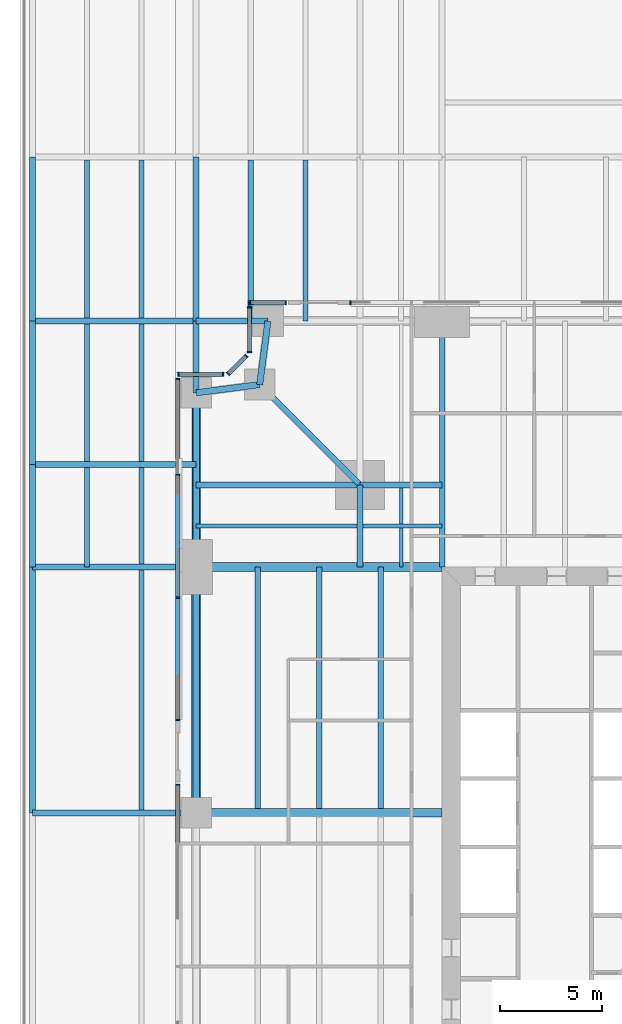
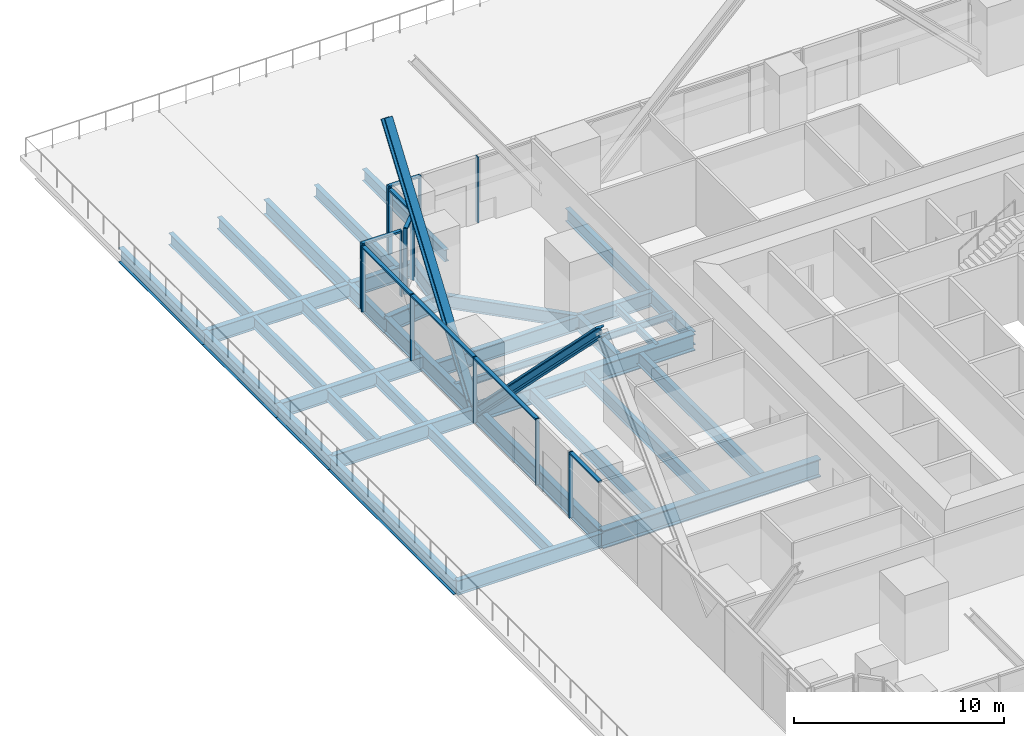
# One storey, part 6 of 21: 38 beams, 24 members, 7 elements without a shape of their own.
"""IFC4 building model written with IfcOpenShell, lengths in metres."""

from ifc_helpers import new_model, si_unit, direction, frame, origin, origin_2d, place, context, subcontext, project, spatial, rectangle, i_section, extrude, material, material_profile, profile_set, type_object, element, aggregate, save


model = new_model("IFC4")

# Units and contexts
model_context = context("Model", 3, precision=1e-05, world=origin(), true_north=direction((0.0, 1.0)))
body_context = subcontext(model_context, "Body", "Model", "MODEL_VIEW")
ifc_project = project(units=[si_unit("LENGTHUNIT", "METRE"), si_unit("AREAUNIT", "SQUARE_METRE"), si_unit("VOLUMEUNIT", "CUBIC_METRE"), si_unit("PLANEANGLEUNIT", "RADIAN"), si_unit("MASSUNIT", "GRAM", prefix="KILO")], contexts=[model_context])

# Site, building, storey
site_placement = place(None, origin())
site = spatial("IfcSite", under=ifc_project, at=site_placement, CompositionType="ELEMENT")
building_placement = place(site_placement, origin())
building = spatial("IfcBuilding", under=site, at=building_placement, Name="Fenwick Lantern Interchange", CompositionType="ELEMENT")
storey_placement = place(building_placement, frame((0.0, 0.0, 31.0)))
storey = spatial("IfcBuildingStorey", under=building, at=storey_placement, Name="L06", CompositionType="ELEMENT", Elevation=31.0)

# Beams
ifc_material_1 = material(Name="Steel ASTM A992 Grade 50", Category="steel")
ifc_material_profile_1 = material_profile(ifc_material_1, i_section(OverallWidth=0.309814453125, OverallDepth=0.949951171875, WebThickness=0.0244140625, FlangeThickness=0.0439453125, at=origin_2d()), Name="W36X256")
ifc_profile_set_1 = profile_set([ifc_material_profile_1], Name="Steel ASTM A992 Grade 50")
beam_type_1 = type_object("IfcBeamType", Name="EDGE BEAM W36X256", PredefinedType="SPANDREL", material=ifc_profile_set_1)
for number, where, z_axis, x_axis, name in (
    (1, (4.5, 49.0, -0.625), (-0.127936641807, -0.991782342897, 0.0), (0.991782342897, -0.127936641807, 0.0), "L06/FR/N/EBR1"),
    (2, (4.10009765625, 45.89990234375, -0.625), (-0.991782342897, -0.127936641807, 0.0), (0.127936641807, -0.991782342897, 0.0), "L06/FR/N/EBR2"),
):
    element("IfcBeam", number, at=place(storey_placement, frame(where, z_axis=z_axis, x_axis=x_axis)), inside=storey, type_object=beam_type_1, Name=name, PredefinedType="SPANDREL", context=body_context, shape_type="SweptSolid", body=[
        extrude(i_section(OverallWidth=0.309814453125, OverallDepth=0.949951171875, WebThickness=0.0244140625, FlangeThickness=0.0439453125, at=origin_2d()), origin(), (0.0, 0.0, 1.0), 3.125732421875),
    ])
beam_1_placement = place(storey_placement, frame((1.0, 45.5, -0.625), z_axis=(0.0, -1.0, 0.0), x_axis=(1.0, 0.0, 0.0)))
element("IfcBeam", 3, at=beam_1_placement, inside=storey, type_object=beam_type_1, Name="L06/FR/W/EB1", PredefinedType="SPANDREL", context=body_context, shape_type="SweptSolid", body=[
    extrude(i_section(OverallWidth=0.309814453125, OverallDepth=0.949951171875, WebThickness=0.0244140625, FlangeThickness=0.0439453125, at=origin_2d()), origin(), (0.0, 0.0, 1.0), 8.5),
])
beam_2_placement = place(storey_placement, frame((1.0, 37.0, -0.625), z_axis=(0.0, -1.0, 0.0), x_axis=(1.0, 0.0, 0.0)))
element("IfcBeam", 4, at=beam_2_placement, inside=storey, type_object=beam_type_1, Name="L06/FR/W/EB2", PredefinedType="SPANDREL", context=body_context, shape_type="SweptSolid", body=[
    extrude(i_section(OverallWidth=0.309814453125, OverallDepth=0.949951171875, WebThickness=0.0244140625, FlangeThickness=0.0439453125, at=origin_2d()), origin(), (0.0, 0.0, 1.0), 12.0),
])

# Members
ifc_material_profile_2 = material_profile(ifc_material_1, i_section(OverallWidth=0.424072265625, OverallDepth=0.47509765625, WebThickness=0.0478515625, FlangeThickness=0.0771484375, at=origin_2d()), Name="W14X426")
ifc_profile_set_2 = profile_set([ifc_material_profile_2], Name="Steel ASTM A992 Grade 50")
member_type_1 = type_object("IfcMemberType", Name="FACADE BRACE W14X426", PredefinedType="BRACE", material=ifc_profile_set_2)
member_1_placement = place(storey_placement, frame((1.0, 37.0, -0.625), z_axis=(0.0, 0.577407021852, 0.816456447776), x_axis=(-1.0, 0.0, 0.0)))
element("IfcMember", 5, at=member_1_placement, inside=storey, type_object=member_type_1, Name="L06/FB/W/AE", PredefinedType="BRACE", context=body_context, shape_type="SweptSolid", body=[
    extrude(i_section(OverallWidth=0.424072265625, OverallDepth=0.47509765625, WebThickness=0.0478515625, FlangeThickness=0.0771484375, at=origin_2d()), origin(), (0.0, 0.0, 1.0), 14.720947265625),
])
ifc_material_profile_3 = material_profile(ifc_material_1, i_section(OverallWidth=0.44189453125, OverallDepth=0.53076171875, WebThickness=0.06591796875, FlangeThickness=0.105712890625, at=origin_2d()), Name="W14X605")
ifc_profile_set_3 = profile_set([ifc_material_profile_3], Name="Steel ASTM A992 Grade 50")
member_type_2 = type_object("IfcMemberType", Name="FACADE BRACE W14X605", PredefinedType="BRACE", material=ifc_profile_set_3)
member_2_placement = place(storey_placement, frame((1.0, 37.0, -0.625), z_axis=(0.0, -0.706545945103, 0.707667172799), x_axis=(1.0, 0.0, 0.0)))
element("IfcMember", 6, at=member_2_placement, inside=storey, type_object=member_type_2, Name="L06/FB/W/A", PredefinedType="BRACE", context=body_context, shape_type="SweptSolid", body=[
    extrude(i_section(OverallWidth=0.44189453125, OverallDepth=0.53076171875, WebThickness=0.06591796875, FlangeThickness=0.105712890625, at=origin_2d()), origin(), (0.0, 0.0, 1.0), 16.984130859375),
])

# Beams
ifc_material_profile_4 = material_profile(ifc_material_1, i_section(OverallWidth=0.2666015625, OverallDepth=0.7568359375, WebThickness=0.013916015625, FlangeThickness=0.019287109375, at=origin_2d()), Name="W30X108")
ifc_profile_set_4 = profile_set([ifc_material_profile_4], Name="Steel ASTM A992 Grade 50")
beam_type_2 = type_object("IfcBeamType", Name="FLOOR BEAM W30X108", PredefinedType="BEAM", material=ifc_profile_set_4)
for number, where, z_axis, x_axis, name in (
    (7, (4.0, 37.0, -0.528564453125), (0.0, -1.0, 0.0), (1.0, 0.0, 0.0), "L06/FR/W/B01"),
    (8, (7.0, 37.0, -0.528564453125), (0.0, -1.0, 0.0), (1.0, 0.0, 0.0), "L06/FR/W/B02"),
    (9, (10.0, 37.0, -0.528564453125), (0.0, -1.0, 0.0), (1.0, 0.0, 0.0), "L06/FR/W/B03"),
):
    element("IfcBeam", number, at=place(storey_placement, frame(where, z_axis=z_axis, x_axis=x_axis)), inside=storey, type_object=beam_type_2, Name=name, PredefinedType="BEAM", context=body_context, shape_type="SweptSolid", body=[
        extrude(i_section(OverallWidth=0.2666015625, OverallDepth=0.7568359375, WebThickness=0.013916015625, FlangeThickness=0.019287109375, at=origin_2d()), origin(), (0.0, 0.0, 1.0), 11.79541015625),
    ])
ifc_material_profile_5 = material_profile(ifc_material_1, i_section(OverallWidth=0.177734375, OverallDepth=0.406494140625, WebThickness=0.0078125, FlangeThickness=0.012939453125, at=origin_2d()), Name="W16X40")
ifc_profile_set_5 = profile_set([ifc_material_profile_5], Name="Steel ASTM A992 Grade 50")
beam_type_3 = type_object("IfcBeamType", Name="INFILL BEAM W16X40", PredefinedType="JOIST", material=ifc_profile_set_5)
beam_3_placement = place(storey_placement, frame((1.0, 39.0, -0.353271484375), z_axis=(1.0, 0.0, 0.0), x_axis=(0.0, 1.0, 0.0)))
element("IfcBeam", 10, at=beam_3_placement, inside=storey, type_object=beam_type_3, Name="L06/FR/W/J1", PredefinedType="JOIST", context=body_context, shape_type="SweptSolid", body=[
    extrude(i_section(OverallWidth=0.177734375, OverallDepth=0.406494140625, WebThickness=0.0078125, FlangeThickness=0.012939453125, at=origin_2d()), origin(), (0.0, 0.0, 1.0), 7.85400390625),
])
beam_4_placement = place(storey_placement, frame((9.14599609375, 39.0, -0.353271484375), z_axis=(1.0, 0.0, 0.0), x_axis=(0.0, 1.0, 0.0)))
element("IfcBeam", 11, at=beam_4_placement, inside=storey, type_object=beam_type_3, Name="L06/FR/W/J2", PredefinedType="JOIST", context=body_context, shape_type="SweptSolid", body=[
    extrude(i_section(OverallWidth=0.177734375, OverallDepth=0.406494140625, WebThickness=0.0078125, FlangeThickness=0.012939453125, at=origin_2d()), origin(), (0.0, 0.0, 1.0), 3.85400390625),
])
beam_5_placement = place(storey_placement, frame((11.0, 40.85400390625, -0.353271484375), z_axis=(0.0, -1.0, 0.0), x_axis=(1.0, 0.0, 0.0)))
element("IfcBeam", 12, at=beam_5_placement, inside=storey, type_object=beam_type_3, Name="L06/FR/W/J4", PredefinedType="JOIST", context=body_context, shape_type="SweptSolid", body=[
    extrude(i_section(OverallWidth=0.177734375, OverallDepth=0.406494140625, WebThickness=0.0078125, FlangeThickness=0.012939453125, at=origin_2d()), origin(), (0.0, 0.0, 1.0), 1.76513671875),
])
beam_6_placement = place(storey_placement, frame((11.0, 38.9111328125, -0.353271484375), z_axis=(0.0, -1.0, 0.0), x_axis=(1.0, 0.0, 0.0)))
element("IfcBeam", 13, at=beam_6_placement, inside=storey, type_object=beam_type_3, Name="L06/FR/W/J5", PredefinedType="JOIST", context=body_context, shape_type="SweptSolid", body=[
    extrude(i_section(OverallWidth=0.177734375, OverallDepth=0.406494140625, WebThickness=0.0078125, FlangeThickness=0.012939453125, at=origin_2d()), origin(), (0.0, 0.0, 1.0), 1.9111328125),
])
ifc_material_profile_6 = material_profile(ifc_material_1, i_section(OverallWidth=0.2919921875, OverallDepth=0.845703125, WebThickness=0.015380859375, FlangeThickness=0.0244140625, at=origin_2d()), Name="W33X141")
ifc_profile_set_6 = profile_set([ifc_material_profile_6], Name="Steel ASTM A992 Grade 50")
beam_type_4 = type_object("IfcBeamType", Name="MEGA COLUMN BEAM W33X141", PredefinedType="BEAM", material=ifc_profile_set_6)
beam_7_placement = place(storey_placement, frame((9.0, 41.0, -0.572998046875), z_axis=(-1.0, 0.0, 0.0), x_axis=(0.0, -1.0, 0.0)))
element("IfcBeam", 14, at=beam_7_placement, inside=storey, type_object=beam_type_4, Name="L06/FR/W/MB1", PredefinedType="BEAM", context=body_context, shape_type="SweptSolid", body=[
    extrude(i_section(OverallWidth=0.2919921875, OverallDepth=0.845703125, WebThickness=0.015380859375, FlangeThickness=0.0244140625, at=origin_2d()), origin(), (0.0, 0.0, 1.0), 8.0),
])
for number, where, z_axis, x_axis, name in (
    (15, (9.0, 41.0, -0.572998046875), (0.0, -1.0, 0.0), (1.0, 0.0, 0.0), "L06/FR/W/MB3"),
    (16, (9.0, 41.0, -0.572998046875), (1.0, 0.0, 0.0), (0.0, 1.0, 0.0), "L06/FR/W/MB4"),
):
    element("IfcBeam", number, at=place(storey_placement, frame(where, z_axis=z_axis, x_axis=x_axis)), inside=storey, type_object=beam_type_4, Name=name, PredefinedType="BEAM", context=body_context, shape_type="SweptSolid", body=[
        extrude(i_section(OverallWidth=0.2919921875, OverallDepth=0.845703125, WebThickness=0.015380859375, FlangeThickness=0.0244140625, at=origin_2d()), origin(), (0.0, 0.0, 1.0), 4.0),
    ])
ifc_material_profile_7 = material_profile(ifc_material_1, i_section(OverallWidth=0.2666015625, OverallDepth=0.76953125, WebThickness=0.015625, FlangeThickness=0.025390625, at=origin_2d()), Name="W30X132")
ifc_profile_set_7 = profile_set([ifc_material_profile_7], Name="Steel ASTM A992 Grade 50")
beam_type_5 = type_object("IfcBeamType", Name="MOMENT-CONNECTED GIRDER W30X132", PredefinedType="BEAM", material=ifc_profile_set_7)
beam_8_placement = place(storey_placement, frame((13.0, 49.0, -0.534912109375), z_axis=(0.0, -1.0, 0.0), x_axis=(1.0, 0.0, 0.0)))
element("IfcBeam", 17, at=beam_8_placement, inside=storey, type_object=beam_type_5, Name="L06/FR/N/R09", PredefinedType="BEAM", context=body_context, shape_type="SweptSolid", body=[
    extrude(i_section(OverallWidth=0.2666015625, OverallDepth=0.76953125, WebThickness=0.015625, FlangeThickness=0.025390625, at=origin_2d()), origin(), (0.0, 0.0, 1.0), 12.0),
])
ifc_material_profile_8 = material_profile(ifc_material_1, i_section(OverallWidth=0.424072265625, OverallDepth=0.947509765625, WebThickness=0.02392578125, FlangeThickness=0.042724609375, at=origin_2d()), Name="W36X302")
ifc_profile_set_8 = profile_set([ifc_material_profile_8], Name="Steel ASTM A992 Grade 50")
beam_type_6 = type_object("IfcBeamType", Name="MOMENT-CONNECTED GIRDER W36X302", PredefinedType="BEAM", material=ifc_profile_set_8)
beam_9_placement = place(storey_placement, frame((1.0, 37.0, -0.623779296875), z_axis=(1.0, 0.0, 0.0), x_axis=(0.0, 1.0, 0.0)))
element("IfcBeam", 18, at=beam_9_placement, inside=storey, type_object=beam_type_6, Name="L06/FR/W/R01", PredefinedType="BEAM", context=body_context, shape_type="SweptSolid", body=[
    extrude(i_section(OverallWidth=0.424072265625, OverallDepth=0.947509765625, WebThickness=0.02392578125, FlangeThickness=0.042724609375, at=origin_2d()), origin(), (0.0, 0.0, 1.0), 12.0),
])
ifc_material_profile_9 = material_profile(ifc_material_1, i_section(OverallWidth=0.408935546875, OverallDepth=1.04150390625, WebThickness=0.031005859375, FlangeThickness=0.055908203125, at=origin_2d()), Name="W40X397")
ifc_profile_set_9 = profile_set([ifc_material_profile_9], Name="Steel ASTM A992 Grade 50")
beam_type_7 = type_object("IfcBeamType", Name="MOMENT-CONNECTED GIRDER W40X397", PredefinedType="BEAM", material=ifc_profile_set_9)
beam_10_placement = place(storey_placement, frame((1.0, 25.0, -0.670654296875), z_axis=(1.0, 0.0, 0.0), x_axis=(0.0, 1.0, 0.0)))
element("IfcBeam", 19, at=beam_10_placement, inside=storey, type_object=beam_type_7, Name="L06/FR/W/R02", PredefinedType="BEAM", context=body_context, shape_type="SweptSolid", body=[
    extrude(i_section(OverallWidth=0.408935546875, OverallDepth=1.04150390625, WebThickness=0.031005859375, FlangeThickness=0.055908203125, at=origin_2d()), origin(), (0.0, 0.0, 1.0), 12.0),
])
ifc_material_profile_10 = material_profile(ifc_material_1, i_section(OverallWidth=0.2919921875, OverallDepth=0.845703125, WebThickness=0.015380859375, FlangeThickness=0.0244140625, at=origin_2d()), Name="W33X141")
ifc_profile_set_10 = profile_set([ifc_material_profile_10], Name="Steel ASTM A992 Grade 50")
beam_type_8 = type_object("IfcBeamType", Name="MOMENT-CONNECTED PODIUM GIRDER W33X141", PredefinedType="BEAM", material=ifc_profile_set_10)
for number, where, z_axis, x_axis, name in (
    (20, (-7.0, 25.0, -0.722900390625), (1.0, 0.0, 0.0), (0.0, 1.0, 0.0), "L06/PF/G017"),
    (21, (-7.0, 37.0, -0.722900390625), (1.0, 0.0, 0.0), (0.0, 1.0, 0.0), "L06/PF/G019"),
    (22, (-7.0, 42.0, -0.722900390625), (1.0, 0.0, 0.0), (0.0, 1.0, 0.0), "L06/PF/G021"),
    (23, (-7.0, 49.0, -0.722900390625), (1.0, 0.0, 0.0), (0.0, 1.0, 0.0), "L06/PF/G023"),
):
    element("IfcBeam", number, at=place(storey_placement, frame(where, z_axis=z_axis, x_axis=x_axis)), inside=storey, type_object=beam_type_8, Name=name, PredefinedType="BEAM", context=body_context, shape_type="SweptSolid", body=[
        extrude(i_section(OverallWidth=0.2919921875, OverallDepth=0.845703125, WebThickness=0.015380859375, FlangeThickness=0.0244140625, at=origin_2d()), origin(), (0.0, 0.0, 1.0), 8.0),
    ])
beam_11_placement = place(storey_placement, frame((1.0, 49.0, -0.722900390625), z_axis=(1.0, 0.0, 0.0), x_axis=(0.0, 1.0, 0.0)))
element("IfcBeam", 24, at=beam_11_placement, inside=storey, type_object=beam_type_8, Name="L06/PF/G024", PredefinedType="BEAM", context=body_context, shape_type="SweptSolid", body=[
    extrude(i_section(OverallWidth=0.2919921875, OverallDepth=0.845703125, WebThickness=0.015380859375, FlangeThickness=0.0244140625, at=origin_2d()), origin(), (0.0, 0.0, 1.0), 3.5),
])
beam_12_placement = place(storey_placement, frame((-7.0, 25.0, -0.722900390625), z_axis=(0.0, 1.0, 0.0), x_axis=(-1.0, 0.0, 0.0)))
element("IfcBeam", 25, at=beam_12_placement, inside=storey, type_object=beam_type_8, Name="L06/PF/G047", PredefinedType="BEAM", context=body_context, shape_type="SweptSolid", body=[
    extrude(i_section(OverallWidth=0.2919921875, OverallDepth=0.845703125, WebThickness=0.015380859375, FlangeThickness=0.0244140625, at=origin_2d()), origin(), (0.0, 0.0, 1.0), 12.0),
])
beam_13_placement = place(storey_placement, frame((-7.0, 37.0, -0.722900390625), z_axis=(0.0, 1.0, 0.0), x_axis=(-1.0, 0.0, 0.0)))
element("IfcBeam", 26, at=beam_13_placement, inside=storey, type_object=beam_type_8, Name="L06/PF/G048", PredefinedType="BEAM", context=body_context, shape_type="SweptSolid", body=[
    extrude(i_section(OverallWidth=0.2919921875, OverallDepth=0.845703125, WebThickness=0.015380859375, FlangeThickness=0.0244140625, at=origin_2d()), origin(), (0.0, 0.0, 1.0), 5.0),
])
beam_14_placement = place(storey_placement, frame((-7.0, 42.0, -0.722900390625), z_axis=(0.0, 1.0, 0.0), x_axis=(-1.0, 0.0, 0.0)))
element("IfcBeam", 27, at=beam_14_placement, inside=storey, type_object=beam_type_8, Name="L06/PF/G049", PredefinedType="BEAM", context=body_context, shape_type="SweptSolid", body=[
    extrude(i_section(OverallWidth=0.2919921875, OverallDepth=0.845703125, WebThickness=0.015380859375, FlangeThickness=0.0244140625, at=origin_2d()), origin(), (0.0, 0.0, 1.0), 7.0),
])
beam_15_placement = place(storey_placement, frame((-7.0, 49.0, -0.722900390625), z_axis=(0.0, 1.0, 0.0), x_axis=(-1.0, 0.0, 0.0)))
element("IfcBeam", 28, at=beam_15_placement, inside=storey, type_object=beam_type_8, Name="L06/PF/G050", PredefinedType="BEAM", context=body_context, shape_type="SweptSolid", body=[
    extrude(i_section(OverallWidth=0.2919921875, OverallDepth=0.845703125, WebThickness=0.015380859375, FlangeThickness=0.0244140625, at=origin_2d()), origin(), (0.0, 0.0, 1.0), 8.0),
])
beam_16_placement = place(storey_placement, frame((1.0, 45.5, -0.722900390625), z_axis=(0.0, 1.0, 0.0), x_axis=(-1.0, 0.0, 0.0)))
element("IfcBeam", 29, at=beam_16_placement, inside=storey, type_object=beam_type_8, Name="L06/PF/G054", PredefinedType="BEAM", context=body_context, shape_type="SweptSolid", body=[
    extrude(i_section(OverallWidth=0.2919921875, OverallDepth=0.845703125, WebThickness=0.015380859375, FlangeThickness=0.0244140625, at=origin_2d()), origin(), (0.0, 0.0, 1.0), 3.5),
])
beam_17_placement = place(storey_placement, frame((1.0, 49.0, -0.722900390625), z_axis=(0.0, 1.0, 0.0), x_axis=(-1.0, 0.0, 0.0)))
element("IfcBeam", 30, at=beam_17_placement, inside=storey, type_object=beam_type_8, Name="L06/PF/G055", PredefinedType="BEAM", context=body_context, shape_type="SweptSolid", body=[
    extrude(i_section(OverallWidth=0.2919921875, OverallDepth=0.845703125, WebThickness=0.015380859375, FlangeThickness=0.0244140625, at=origin_2d()), origin(), (0.0, 0.0, 1.0), 8.0),
])
ifc_material_profile_11 = material_profile(ifc_material_1, i_section(OverallWidth=0.2666015625, OverallDepth=0.7568359375, WebThickness=0.013916015625, FlangeThickness=0.019287109375, at=origin_2d()), Name="W30X108")
ifc_profile_set_11 = profile_set([ifc_material_profile_11], Name="Steel ASTM A992 Grade 50")
beam_type_9 = type_object("IfcBeamType", Name="NOTCH BEAM W30X108", PredefinedType="BEAM", material=ifc_profile_set_11)
beam_18_placement = place(storey_placement, frame((9.0, 41.0, -0.528564453125), z_axis=(-0.707106781187, 0.707106781187, 0.0), x_axis=(-0.707106781187, -0.707106781187, 0.0)))
element("IfcBeam", 31, at=beam_18_placement, inside=storey, type_object=beam_type_9, Name="L06/FR/W/TG", PredefinedType="BEAM", context=body_context, shape_type="SweptSolid", body=[
    extrude(i_section(OverallWidth=0.2666015625, OverallDepth=0.7568359375, WebThickness=0.013916015625, FlangeThickness=0.019287109375, at=origin_2d()), origin(), (0.0, 0.0, 1.0), 6.929443359375),
])

# Curtain wall, member
ifc_material_2 = material(Name="Aluminium curtain wall frame", Category="aluminium")
curtain_wall_type = type_object("IfcCurtainWallType", Name="OFFICE CURTAIN WALL", PredefinedType="USERDEFINED", material=ifc_material_2)
curtain_wall_1_placement = place(storey_placement, origin())
curtain_wall_1 = element("IfcCurtainWall", 32, at=curtain_wall_1_placement, inside=storey, type_object=curtain_wall_type, Name="Office curtain wall 09B", ObjectType="OFFICE CURTAIN WALL", PredefinedType="USERDEFINED")
ifc_material_3 = material(Name="Aluminium extrusion", Category="aluminium")
ifc_material_profile_12 = material_profile(ifc_material_3, rectangle(XDim=0.199951171875, YDim=0.06494140625, at=origin_2d()), Name="OFFICE CURTAIN WALL MULLION 65 X 200")
ifc_profile_set_12 = profile_set([ifc_material_profile_12], Name="Aluminium extrusion")
member_type_3 = type_object("IfcMemberType", Name="OFFICE CURTAIN WALL MULLION 65 X 200", PredefinedType="MULLION", material=ifc_profile_set_12)
member_3_placement = place(storey_placement, frame((8.532470703125, 49.89990234375, 0.0), z_axis=(0.0, 0.0, 1.0), x_axis=(0.0, -1.0, 0.0)))
member_3 = element("IfcMember", 33, at=member_3_placement, type_object=member_type_3, Name="L06/CW/09B/M04", PredefinedType="MULLION", context=body_context, shape_type="SweptSolid", body=[
    extrude(rectangle(XDim=0.199951171875, YDim=0.06494140625, at=origin_2d()), origin(), (0.0, 0.0, 1.0), 3.85009765625),
])
aggregate(curtain_wall_1, [member_3])

# Curtain wall, members
curtain_wall_2_placement = place(storey_placement, origin())
curtain_wall_2 = element("IfcCurtainWall", 34, at=curtain_wall_2_placement, inside=storey, type_object=curtain_wall_type, Name="Office curtain wall 09C", ObjectType="OFFICE CURTAIN WALL", PredefinedType="USERDEFINED")
member_4_placement = place(storey_placement, frame((5.367431640625, 49.89990234375, 0.0), z_axis=(0.0, 0.0, 1.0), x_axis=(0.0, -1.0, 0.0)))
member_4 = element("IfcMember", 35, at=member_4_placement, type_object=member_type_3, Name="L06/CW/09C/M00", PredefinedType="MULLION", context=body_context, shape_type="SweptSolid", body=[
    extrude(rectangle(XDim=0.199951171875, YDim=0.06494140625, at=origin_2d()), origin(), (0.0, 0.0, 1.0), 3.85009765625),
])
member_5_placement = place(storey_placement, frame((3.632568359375, 49.89990234375, 0.0), z_axis=(0.0, 0.0, 1.0), x_axis=(0.0, -1.0, 0.0)))
member_5 = element("IfcMember", 36, at=member_5_placement, type_object=member_type_3, Name="L06/CW/09C/M01", PredefinedType="MULLION", context=body_context, shape_type="SweptSolid", body=[
    extrude(rectangle(XDim=0.199951171875, YDim=0.06494140625, at=origin_2d()), origin(), (0.0, 0.0, 1.0), 3.85009765625),
])

curtain_wall_3_placement = place(storey_placement, origin())
curtain_wall_3 = element("IfcCurtainWall", 37, at=curtain_wall_3_placement, inside=storey, type_object=curtain_wall_type, Name="Office curtain wall 10", ObjectType="OFFICE CURTAIN WALL", PredefinedType="USERDEFINED")
member_6_placement = place(storey_placement, frame((3.60009765625, 49.66748046875, 0.0), z_axis=(0.0, 0.0, 1.0), x_axis=(1.0, 0.0, 0.0)))
member_6 = element("IfcMember", 38, at=member_6_placement, type_object=member_type_3, Name="L06/CW/10/M00", PredefinedType="MULLION", context=body_context, shape_type="SweptSolid", body=[
    extrude(rectangle(XDim=0.199951171875, YDim=0.06494140625, at=origin_2d()), origin(), (0.0, 0.0, 1.0), 3.85009765625),
])
member_7_placement = place(storey_placement, frame((3.60009765625, 47.490966796875, 0.0), z_axis=(0.0, 0.0, 1.0), x_axis=(1.0, 0.0, 0.0)))
member_7 = element("IfcMember", 39, at=member_7_placement, type_object=member_type_3, Name="L06/CW/10/M01", PredefinedType="MULLION", context=body_context, shape_type="SweptSolid", body=[
    extrude(rectangle(XDim=0.199951171875, YDim=0.06494140625, at=origin_2d()), origin(), (0.0, 0.0, 1.0), 3.85009765625),
])

curtain_wall_4_placement = place(storey_placement, origin())
curtain_wall_4 = element("IfcCurtainWall", 40, at=curtain_wall_4_placement, inside=storey, type_object=curtain_wall_type, Name="Office curtain wall 11", ObjectType="OFFICE CURTAIN WALL", PredefinedType="USERDEFINED")
member_8_placement = place(storey_placement, frame((3.435546875, 47.294189453125, 0.0), z_axis=(0.0, 0.0, 1.0), x_axis=(0.707106781187, -0.707106781187, 0.0)))
member_8 = element("IfcMember", 41, at=member_8_placement, type_object=member_type_3, Name="L06/CW/11/M00", PredefinedType="MULLION", context=body_context, shape_type="SweptSolid", body=[
    extrude(rectangle(XDim=0.199951171875, YDim=0.06494140625, at=origin_2d()), origin(), (0.0, 0.0, 1.0), 3.85009765625),
])
member_9_placement = place(storey_placement, frame((2.564453125, 46.423095703125, 0.0), z_axis=(0.0, 0.0, 1.0), x_axis=(0.707106781187, -0.707106781187, 0.0)))
member_9 = element("IfcMember", 42, at=member_9_placement, type_object=member_type_3, Name="L06/CW/11/M01", PredefinedType="MULLION", context=body_context, shape_type="SweptSolid", body=[
    extrude(rectangle(XDim=0.199951171875, YDim=0.06494140625, at=origin_2d()), origin(), (0.0, 0.0, 1.0), 3.85009765625),
])

curtain_wall_5_placement = place(storey_placement, origin())
curtain_wall_5 = element("IfcCurtainWall", 43, at=curtain_wall_5_placement, inside=storey, type_object=curtain_wall_type, Name="Office curtain wall 12", ObjectType="OFFICE CURTAIN WALL", PredefinedType="USERDEFINED")
member_10_placement = place(storey_placement, frame((2.308837890625, 46.39990234375, 0.0), z_axis=(0.0, 0.0, 1.0), x_axis=(0.0, -1.0, 0.0)))
member_10 = element("IfcMember", 44, at=member_10_placement, type_object=member_type_3, Name="L06/CW/12/M00", PredefinedType="MULLION", context=body_context, shape_type="SweptSolid", body=[
    extrude(rectangle(XDim=0.199951171875, YDim=0.06494140625, at=origin_2d()), origin(), (0.0, 0.0, 1.0), 3.85009765625),
])
member_11_placement = place(storey_placement, frame((0.132568359375, 46.39990234375, 0.0), z_axis=(0.0, 0.0, 1.0), x_axis=(0.0, -1.0, 0.0)))
member_11 = element("IfcMember", 45, at=member_11_placement, type_object=member_type_3, Name="L06/CW/12/M01", PredefinedType="MULLION", context=body_context, shape_type="SweptSolid", body=[
    extrude(rectangle(XDim=0.199951171875, YDim=0.06494140625, at=origin_2d()), origin(), (0.0, 0.0, 1.0), 3.85009765625),
])

curtain_wall_6_placement = place(storey_placement, origin())
curtain_wall_6 = element("IfcCurtainWall", 46, at=curtain_wall_6_placement, inside=storey, type_object=curtain_wall_type, Name="Office curtain wall 13A", ObjectType="OFFICE CURTAIN WALL", PredefinedType="USERDEFINED")
member_12_placement = place(storey_placement, frame((0.10009765625, 46.16748046875, 0.0), z_axis=(0.0, 0.0, 1.0), x_axis=(1.0, 0.0, 0.0)))
member_12 = element("IfcMember", 47, at=member_12_placement, type_object=member_type_3, Name="L06/CW/13A/M00", PredefinedType="MULLION", context=body_context, shape_type="SweptSolid", body=[
    extrude(rectangle(XDim=0.199951171875, YDim=0.06494140625, at=origin_2d()), origin(), (0.0, 0.0, 1.0), 3.85009765625),
])
member_13_placement = place(storey_placement, frame((0.10009765625, 41.5, 0.0), z_axis=(0.0, 0.0, 1.0), x_axis=(1.0, 0.0, 0.0)))
member_13 = element("IfcMember", 48, at=member_13_placement, type_object=member_type_3, Name="L06/CW/13A/M01", PredefinedType="MULLION", context=body_context, shape_type="SweptSolid", body=[
    extrude(rectangle(XDim=0.199951171875, YDim=0.06494140625, at=origin_2d()), origin(), (0.0, 0.0, 1.0), 3.85009765625),
])
member_14_placement = place(storey_placement, frame((0.10009765625, 35.5, 0.0), z_axis=(0.0, 0.0, 1.0), x_axis=(1.0, 0.0, 0.0)))
member_14 = element("IfcMember", 49, at=member_14_placement, type_object=member_type_3, Name="L06/CW/13A/M02", PredefinedType="MULLION", context=body_context, shape_type="SweptSolid", body=[
    extrude(rectangle(XDim=0.199951171875, YDim=0.06494140625, at=origin_2d()), origin(), (0.0, 0.0, 1.0), 3.85009765625),
])
member_15_placement = place(storey_placement, frame((0.10009765625, 29.532470703125, 0.0), z_axis=(0.0, 0.0, 1.0), x_axis=(1.0, 0.0, 0.0)))
member_15 = element("IfcMember", 50, at=member_15_placement, type_object=member_type_3, Name="L06/CW/13A/M03", PredefinedType="MULLION", context=body_context, shape_type="SweptSolid", body=[
    extrude(rectangle(XDim=0.199951171875, YDim=0.06494140625, at=origin_2d()), origin(), (0.0, 0.0, 1.0), 3.85009765625),
])

# Curtain wall, member
curtain_wall_7_placement = place(storey_placement, origin())
curtain_wall_7 = element("IfcCurtainWall", 51, at=curtain_wall_7_placement, inside=storey, type_object=curtain_wall_type, Name="Office curtain wall 13B", ObjectType="OFFICE CURTAIN WALL", PredefinedType="USERDEFINED")
member_16_placement = place(storey_placement, frame((0.10009765625, 26.367431640625, 0.0), z_axis=(0.0, 0.0, 1.0), x_axis=(1.0, 0.0, 0.0)))
member_16 = element("IfcMember", 52, at=member_16_placement, type_object=member_type_3, Name="L06/CW/13B/M00", PredefinedType="MULLION", context=body_context, shape_type="SweptSolid", body=[
    extrude(rectangle(XDim=0.199951171875, YDim=0.06494140625, at=origin_2d()), origin(), (0.0, 0.0, 1.0), 3.85009765625),
])

# Member
ifc_material_profile_13 = material_profile(ifc_material_3, rectangle(XDim=0.199951171875, YDim=0.10009765625, at=origin_2d()), Name="OFFICE CURTAIN WALL TRANSOM 100 X 200")
ifc_profile_set_13 = profile_set([ifc_material_profile_13], Name="Aluminium extrusion")
member_type_4 = type_object("IfcMemberType", Name="OFFICE CURTAIN WALL TRANSOM 100 X 200", PredefinedType="MULLION", material=ifc_profile_set_13)
member_17_placement = place(storey_placement, frame((5.3349609375, 49.89990234375, 3.800048828125), z_axis=(-1.0, 0.0, 0.0), x_axis=(0.0, -1.0, 0.0)))
member_17 = element("IfcMember", 53, at=member_17_placement, type_object=member_type_4, Name="L06/CW/09C/T00", PredefinedType="MULLION", context=body_context, shape_type="SweptSolid", body=[
    extrude(rectangle(XDim=0.199951171875, YDim=0.10009765625, at=origin_2d()), origin(), (0.0, 0.0, 1.0), 1.669921875),
])

aggregate(curtain_wall_2, [member_4, member_5, member_17])

member_18_placement = place(storey_placement, frame((3.60009765625, 49.635009765625, 3.800048828125), z_axis=(0.0, -1.0, 0.0), x_axis=(1.0, 0.0, 0.0)))
member_18 = element("IfcMember", 54, at=member_18_placement, type_object=member_type_4, Name="L06/CW/10/T00", PredefinedType="MULLION", context=body_context, shape_type="SweptSolid", body=[
    extrude(rectangle(XDim=0.199951171875, YDim=0.10009765625, at=origin_2d()), origin(), (0.0, 0.0, 1.0), 2.111328125),
])

aggregate(curtain_wall_3, [member_6, member_7, member_18])

member_19_placement = place(storey_placement, frame((3.41259765625, 47.271240234375, 3.800048828125), z_axis=(-0.707106781187, -0.707106781187, 0.0), x_axis=(0.707106781187, -0.707106781187, 0.0)))
member_19 = element("IfcMember", 55, at=member_19_placement, type_object=member_type_4, Name="L06/CW/11/T00", PredefinedType="MULLION", context=body_context, shape_type="SweptSolid", body=[
    extrude(rectangle(XDim=0.199951171875, YDim=0.10009765625, at=origin_2d()), origin(), (0.0, 0.0, 1.0), 1.1669921875),
])

aggregate(curtain_wall_4, [member_8, member_9, member_19])

member_20_placement = place(storey_placement, frame((2.2763671875, 46.39990234375, 3.800048828125), z_axis=(-1.0, 0.0, 0.0), x_axis=(0.0, -1.0, 0.0)))
member_20 = element("IfcMember", 56, at=member_20_placement, type_object=member_type_4, Name="L06/CW/12/T00", PredefinedType="MULLION", context=body_context, shape_type="SweptSolid", body=[
    extrude(rectangle(XDim=0.199951171875, YDim=0.10009765625, at=origin_2d()), origin(), (0.0, 0.0, 1.0), 2.111328125),
])

aggregate(curtain_wall_5, [member_10, member_11, member_20])

member_21_placement = place(storey_placement, frame((0.10009765625, 46.135009765625, 3.800048828125), z_axis=(0.0, -1.0, 0.0), x_axis=(1.0, 0.0, 0.0)))
member_21 = element("IfcMember", 57, at=member_21_placement, type_object=member_type_4, Name="L06/CW/13A/T00", PredefinedType="MULLION", context=body_context, shape_type="SweptSolid", body=[
    extrude(rectangle(XDim=0.199951171875, YDim=0.10009765625, at=origin_2d()), origin(), (0.0, 0.0, 1.0), 4.6025390625),
])

member_22_placement = place(storey_placement, frame((0.10009765625, 41.467529296875, 3.800048828125), z_axis=(0.0, -1.0, 0.0), x_axis=(1.0, 0.0, 0.0)))
member_22 = element("IfcMember", 58, at=member_22_placement, type_object=member_type_4, Name="L06/CW/13A/T01", PredefinedType="MULLION", context=body_context, shape_type="SweptSolid", body=[
    extrude(rectangle(XDim=0.199951171875, YDim=0.10009765625, at=origin_2d()), origin(), (0.0, 0.0, 1.0), 5.93505859375),
])

member_23_placement = place(storey_placement, frame((0.10009765625, 35.467529296875, 3.800048828125), z_axis=(0.0, -1.0, 0.0), x_axis=(1.0, 0.0, 0.0)))
member_23 = element("IfcMember", 59, at=member_23_placement, type_object=member_type_4, Name="L06/CW/13A/T02", PredefinedType="MULLION", context=body_context, shape_type="SweptSolid", body=[
    extrude(rectangle(XDim=0.199951171875, YDim=0.10009765625, at=origin_2d()), origin(), (0.0, 0.0, 1.0), 5.902587890625),
])

aggregate(curtain_wall_6, [member_12, member_13, member_14, member_15, member_21, member_22, member_23])

member_24_placement = place(storey_placement, frame((0.10009765625, 26.3349609375, 3.800048828125), z_axis=(0.0, -1.0, 0.0), x_axis=(1.0, 0.0, 0.0)))
member_24 = element("IfcMember", 60, at=member_24_placement, type_object=member_type_4, Name="L06/CW/13B/T00", PredefinedType="MULLION", context=body_context, shape_type="SweptSolid", body=[
    extrude(rectangle(XDim=0.199951171875, YDim=0.10009765625, at=origin_2d()), origin(), (0.0, 0.0, 1.0), 2.802490234375),
])

aggregate(curtain_wall_7, [member_16, member_24])

# Beams
ifc_material_profile_14 = material_profile(ifc_material_1, i_section(OverallWidth=0.25390625, OverallDepth=0.683349609375, WebThickness=0.012451171875, FlangeThickness=0.01904296875, at=origin_2d()), Name="W27X94")
ifc_profile_set_14 = profile_set([ifc_material_profile_14], Name="Steel ASTM A992 Grade 50")
beam_type_10 = type_object("IfcBeamType", Name="PODIUM BEAM W27X94", PredefinedType="JOIST", material=ifc_profile_set_14)
beam_19_placement = place(storey_placement, frame((-1.666748046875, 25.14599609375, -0.6416015625), z_axis=(0.0, 1.0, 0.0), x_axis=(-1.0, 0.0, 0.0)))
element("IfcBeam", 61, at=beam_19_placement, inside=storey, type_object=beam_type_10, Name="L06/PF/J093", PredefinedType="JOIST", context=body_context, shape_type="SweptSolid", body=[
    extrude(i_section(OverallWidth=0.25390625, OverallDepth=0.683349609375, WebThickness=0.012451171875, FlangeThickness=0.01904296875, at=origin_2d()), origin(), (0.0, 0.0, 1.0), 11.7080078125),
])
beam_20_placement = place(storey_placement, frame((-4.333251953125, 37.0, -0.6416015625), z_axis=(0.0, 1.0, 0.0), x_axis=(-1.0, 0.0, 0.0)))
element("IfcBeam", 62, at=beam_20_placement, inside=storey, type_object=beam_type_10, Name="L06/PF/J094", PredefinedType="JOIST", context=body_context, shape_type="SweptSolid", body=[
    extrude(i_section(OverallWidth=0.25390625, OverallDepth=0.683349609375, WebThickness=0.012451171875, FlangeThickness=0.01904296875, at=origin_2d()), origin(), (0.0, 0.0, 1.0), 4.85400390625),
])
beam_21_placement = place(storey_placement, frame((-1.666748046875, 37.14599609375, -0.6416015625), z_axis=(0.0, 1.0, 0.0), x_axis=(-1.0, 0.0, 0.0)))
element("IfcBeam", 63, at=beam_21_placement, inside=storey, type_object=beam_type_10, Name="L06/PF/J095", PredefinedType="JOIST", context=body_context, shape_type="SweptSolid", body=[
    extrude(i_section(OverallWidth=0.25390625, OverallDepth=0.683349609375, WebThickness=0.012451171875, FlangeThickness=0.01904296875, at=origin_2d()), origin(), (0.0, 0.0, 1.0), 4.7080078125),
])
for number, where, z_axis, x_axis, name in (
    (64, (-4.333251953125, 42.14599609375, -0.6416015625), (0.0, 1.0, 0.0), (-1.0, 0.0, 0.0), "L06/PF/J096"),
    (65, (-1.666748046875, 42.14599609375, -0.6416015625), (0.0, 1.0, 0.0), (-1.0, 0.0, 0.0), "L06/PF/J097"),
):
    element("IfcBeam", number, at=place(storey_placement, frame(where, z_axis=z_axis, x_axis=x_axis)), inside=storey, type_object=beam_type_10, Name=name, PredefinedType="JOIST", context=body_context, shape_type="SweptSolid", body=[
        extrude(i_section(OverallWidth=0.25390625, OverallDepth=0.683349609375, WebThickness=0.012451171875, FlangeThickness=0.01904296875, at=origin_2d()), origin(), (0.0, 0.0, 1.0), 6.7080078125),
    ])
for number, where, z_axis, x_axis, name in (
    (66, (-4.333251953125, 49.14599609375, -0.6416015625), (0.0, 1.0, 0.0), (-1.0, 0.0, 0.0), "L06/PF/J098"),
    (67, (-1.666748046875, 49.14599609375, -0.6416015625), (0.0, 1.0, 0.0), (-1.0, 0.0, 0.0), "L06/PF/J099"),
):
    element("IfcBeam", number, at=place(storey_placement, frame(where, z_axis=z_axis, x_axis=x_axis)), inside=storey, type_object=beam_type_10, Name=name, PredefinedType="JOIST", context=body_context, shape_type="SweptSolid", body=[
        extrude(i_section(OverallWidth=0.25390625, OverallDepth=0.683349609375, WebThickness=0.012451171875, FlangeThickness=0.01904296875, at=origin_2d()), origin(), (0.0, 0.0, 1.0), 7.7080078125),
    ])
for number, where, z_axis, x_axis, name in (
    (68, (3.666748046875, 49.0, -0.6416015625), (0.0, 1.0, 0.0), (-1.0, 0.0, 0.0), "L06/PF/J104"),
    (69, (6.333251953125, 49.0, -0.6416015625), (0.0, 1.0, 0.0), (-1.0, 0.0, 0.0), "L06/PF/J105"),
):
    element("IfcBeam", number, at=place(storey_placement, frame(where, z_axis=z_axis, x_axis=x_axis)), inside=storey, type_object=beam_type_10, Name=name, PredefinedType="JOIST", context=body_context, shape_type="SweptSolid", body=[
        extrude(i_section(OverallWidth=0.25390625, OverallDepth=0.683349609375, WebThickness=0.012451171875, FlangeThickness=0.01904296875, at=origin_2d()), origin(), (0.0, 0.0, 1.0), 7.85400390625),
    ])

save(model, "model.ifc")
